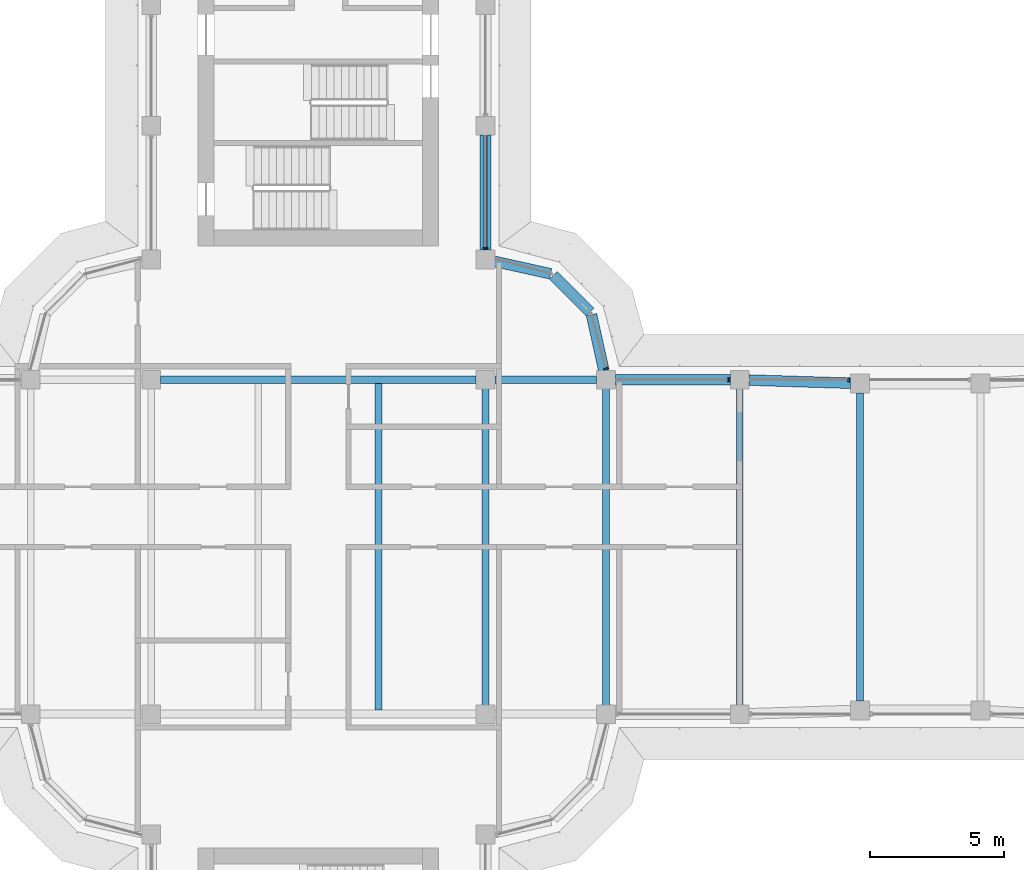
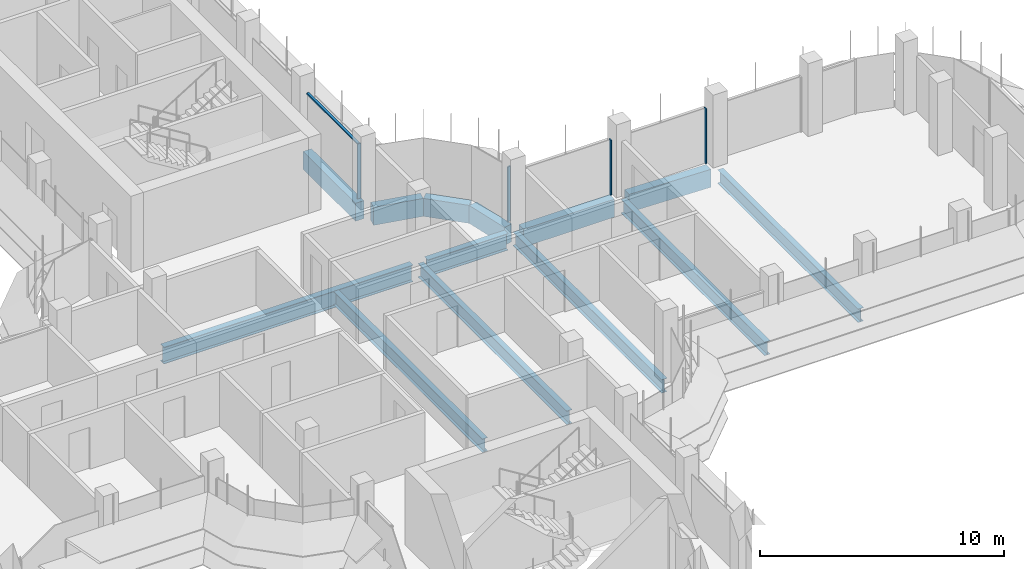
# One storey, part 8 of 18: 13 beams, 5 members, 3 elements without a shape of their own.
"""IFC4 building model written with IfcOpenShell, lengths in metres."""

from ifc_helpers import new_model, si_unit, direction, frame, origin, origin_2d, place, context, subcontext, project, spatial, polyline, rectangle, i_section, outline, extrude, source, transform, mapped, material, material_profile, profile_set, type_object, element, aggregate, save


model = new_model("IFC4")

# Units and contexts
model_context = context("Model", 3, precision=1e-05, world=origin(), true_north=direction((0.0, 1.0)))
body_context = subcontext(model_context, "Body", "Model", "MODEL_VIEW")
ifc_project = project(units=[si_unit("LENGTHUNIT", "METRE"), si_unit("AREAUNIT", "SQUARE_METRE"), si_unit("VOLUMEUNIT", "CUBIC_METRE"), si_unit("PLANEANGLEUNIT", "RADIAN"), si_unit("MASSUNIT", "GRAM", prefix="KILO")], contexts=[model_context])

# Site, building, storey
site_placement = place(None, origin())
site = spatial("IfcSite", under=ifc_project, at=site_placement, CompositionType="ELEMENT")
building_placement = place(site_placement, origin())
building = spatial("IfcBuilding", under=site, at=building_placement, Name="Zarbagh Exchange Tower", CompositionType="ELEMENT")
storey_placement = place(building_placement, frame((0.0, 0.0, 214.39990234375)))
storey = spatial("IfcBuildingStorey", under=building, at=storey_placement, Name="L52", CompositionType="ELEMENT", Elevation=214.39990234375)

# Beams
ifc_material_1 = material(Name="Steel ASTM A992 Gr 50", Category="steel")
ifc_material_profile_1 = material_profile(ifc_material_1, i_section(OverallWidth=0.25390625, OverallDepth=0.67822265625, WebThickness=0.01171875, FlangeThickness=0.016357421875, at=origin_2d()), Name="W27X84")
ifc_profile_set_1 = profile_set([ifc_material_profile_1], Name="Steel ASTM A992 Gr 50")
beam_type_1 = type_object("IfcBeamType", Name="Floor beam W27X84", PredefinedType="BEAM", material=ifc_profile_set_1)
for number, where, z_axis, x_axis, name in (
    (1, (2.25, -6.10400390625, -0.489013671875), (0.0, 1.0, 0.0), (-1.0, 0.0, 0.0), "Steel floor beam"),
    (2, (6.25, -6.10400390625, -0.489013671875), (0.0, 1.0, 0.0), (-1.0, 0.0, 0.0), "Steel floor beam"),
    (3, (10.75, -6.10400390625, -0.489013671875), (0.0, 1.0, 0.0), (-1.0, 0.0, 0.0), "Steel floor beam"),
):
    element("IfcBeam", number, at=place(storey_placement, frame(where, z_axis=z_axis, x_axis=x_axis)), inside=storey, type_object=beam_type_1, Name=name, PredefinedType="BEAM", context=body_context, shape_type="SweptSolid", body=[
        extrude(i_section(OverallWidth=0.25390625, OverallDepth=0.67822265625, WebThickness=0.01171875, FlangeThickness=0.016357421875, at=origin_2d()), origin(), (0.0, 0.0, 1.0), 12.2080078125),
    ])
beam_1_placement = place(storey_placement, frame((15.75, -5.89990234375, -0.489013671875), z_axis=(0.0, 1.0, 0.0), x_axis=(-1.0, 0.0, 0.0)))
element("IfcBeam", 4, at=beam_1_placement, inside=storey, type_object=beam_type_1, Name="Steel floor beam", PredefinedType="BEAM", context=body_context, shape_type="SweptSolid", body=[
    extrude(i_section(OverallWidth=0.25390625, OverallDepth=0.67822265625, WebThickness=0.01171875, FlangeThickness=0.016357421875, at=origin_2d()), origin(), (0.0, 0.0, 1.0), 11.7998046875),
])
beam_2_placement = place(storey_placement, frame((20.25, -5.760009765625, -0.489013671875), z_axis=(0.0, 1.0, 0.0), x_axis=(-1.0, 0.0, 0.0)))
element("IfcBeam", 5, at=beam_2_placement, inside=storey, type_object=beam_type_1, Name="Steel floor beam", PredefinedType="BEAM", context=body_context, shape_type="SweptSolid", body=[
    extrude(i_section(OverallWidth=0.25390625, OverallDepth=0.67822265625, WebThickness=0.01171875, FlangeThickness=0.016357421875, at=origin_2d()), origin(), (0.0, 0.0, 1.0), 11.52001953125),
])
ifc_material_profile_2 = material_profile(ifc_material_1, i_section(OverallWidth=0.2919921875, OverallDepth=0.835693359375, WebThickness=0.013916015625, FlangeThickness=0.018798828125, at=origin_2d()), Name="W33X118")
ifc_profile_set_2 = profile_set([ifc_material_profile_2], Name="Steel ASTM A992 Gr 50")
beam_type_2 = type_object("IfcBeamType", Name="Floor girder W33X118", PredefinedType="BEAM", material=ifc_profile_set_2)
beam_3_placement = place(storey_placement, frame((-5.89990234375, 6.25, -0.567626953125), z_axis=(1.0, 0.0, 0.0), x_axis=(0.0, 1.0, 0.0)))
element("IfcBeam", 6, at=beam_3_placement, inside=storey, type_object=beam_type_2, Name="Steel girder", PredefinedType="BEAM", context=body_context, shape_type="SweptSolid", body=[
    extrude(i_section(OverallWidth=0.2919921875, OverallDepth=0.835693359375, WebThickness=0.013916015625, FlangeThickness=0.018798828125, at=origin_2d()), origin(), (0.0, 0.0, 1.0), 11.7998046875),
])
beam_4_placement = place(storey_placement, frame((6.60009765625, 6.25, -0.567626953125), z_axis=(1.0, 0.0, 0.0), x_axis=(0.0, 1.0, 0.0)))
element("IfcBeam", 7, at=beam_4_placement, inside=storey, type_object=beam_type_2, Name="Steel girder", PredefinedType="BEAM", context=body_context, shape_type="SweptSolid", body=[
    extrude(i_section(OverallWidth=0.2919921875, OverallDepth=0.835693359375, WebThickness=0.013916015625, FlangeThickness=0.018798828125, at=origin_2d()), origin(), (0.0, 0.0, 1.0), 3.7998046875),
])
ifc_material_2 = material(Name="Concrete C50/60", Category="concrete")
ifc_material_profile_3 = material_profile(ifc_material_2, rectangle(XDim=0.39990234375, YDim=0.89990234375, at=origin_2d()), Name="RC spandrel beam 400 x 900 C50/60")
ifc_profile_set_3 = profile_set([ifc_material_profile_3], Name="Concrete C50/60")
beam_type_3 = type_object("IfcBeamType", Name="RC spandrel beam 400 x 900 C50/60", PredefinedType="SPANDREL", material=ifc_profile_set_3)
beam_5_placement = place(storey_placement, frame((6.25, 15.39990234375, -0.599853515625), z_axis=(0.0, -1.0, 0.0), x_axis=(1.0, 0.0, 0.0)))
element("IfcBeam", 8, at=beam_5_placement, inside=storey, type_object=beam_type_3, Name="RC spandrel beam", PredefinedType="SPANDREL", context=body_context, shape_type="SweptSolid", body=[
    extrude(rectangle(XDim=0.39990234375, YDim=0.89990234375, at=origin_2d()), origin(), (0.0, 0.0, 1.0), 4.2998046875),
])
beam_6_placement = place(storey_placement, frame((6.591796875, 10.67431640625, -0.599853515625), z_axis=(0.97639036545, -0.216013551096, 0.0), x_axis=(0.216013551096, 0.97639036545, 0.0)))
element("IfcBeam", 9, at=beam_6_placement, inside=storey, type_object=beam_type_3, Name="RC spandrel beam", PredefinedType="SPANDREL", context=body_context, shape_type="SweptSolid", body=[
    extrude(rectangle(XDim=0.39990234375, YDim=0.89990234375, at=origin_2d()), origin(), (0.0, 0.0, 1.0), 2.142822265625),
])
beam_7_placement = place(storey_placement, frame((8.782470703125, 10.15771484375, -0.599853515625), z_axis=(0.707106781187, -0.707106781187, 0.0), x_axis=(0.707106781187, 0.707106781187, 0.0)))
element("IfcBeam", 10, at=beam_7_placement, inside=storey, type_object=beam_type_3, Name="RC spandrel beam", PredefinedType="SPANDREL", context=body_context, shape_type="SweptSolid", body=[
    extrude(rectangle(XDim=0.39990234375, YDim=0.89990234375, at=origin_2d()), origin(), (0.0, 0.0, 1.0), 1.94482421875),
])
beam_8_placement = place(storey_placement, frame((10.21142578125, 8.68408203125, -0.599853515625), z_axis=(0.216013551096, -0.97639036545, 0.0), x_axis=(0.97639036545, 0.216013551096, 0.0)))
element("IfcBeam", 11, at=beam_8_placement, inside=storey, type_object=beam_type_3, Name="RC spandrel beam", PredefinedType="SPANDREL", context=body_context, shape_type="SweptSolid", body=[
    extrude(rectangle(XDim=0.39990234375, YDim=0.89990234375, at=origin_2d()), origin(), (0.0, 0.0, 1.0), 2.142822265625),
])
beam_9_placement = place(storey_placement, frame((11.10009765625, 6.25, -0.599853515625), z_axis=(1.0, 0.0, 0.0), x_axis=(0.0, 1.0, 0.0)))
element("IfcBeam", 12, at=beam_9_placement, inside=storey, type_object=beam_type_3, Name="RC spandrel beam", PredefinedType="SPANDREL", context=body_context, shape_type="SweptSolid", body=[
    extrude(rectangle(XDim=0.39990234375, YDim=0.89990234375, at=origin_2d()), origin(), (0.0, 0.0, 1.0), 4.2998046875),
])
beam_10_placement = place(storey_placement, frame((16.099853515625, 6.239013671875, -0.599853515625), z_axis=(0.999516950199, -0.031078389046, 0.0), x_axis=(0.031078389046, 0.999516950199, 0.0)))
element("IfcBeam", 13, at=beam_10_placement, inside=storey, type_object=beam_type_3, Name="RC spandrel beam", PredefinedType="SPANDREL", context=body_context, shape_type="SweptSolid", body=[
    extrude(rectangle(XDim=0.39990234375, YDim=0.89990234375, at=origin_2d()), origin(), (0.0, 0.0, 1.0), 3.80224609375),
])

# Curtain wall, members
ifc_material_3 = material(Name="Anodised aluminium frame and glazing", Category="aluminium")
curtain_wall_type = type_object("IfcCurtainWallType", Name="CWB Ribbon glazing, upper zones", PredefinedType="NOTDEFINED", material=ifc_material_3)
curtain_wall_1_placement = place(storey_placement, origin())
curtain_wall_1 = element("IfcCurtainWall", 14, at=curtain_wall_1_placement, inside=storey, type_object=curtain_wall_type, Name="CWB16 curtain wall", PredefinedType="NOTDEFINED")
ifc_material_4 = material(Name="Anodised aluminium frame", Category="aluminium")
member_type_1 = type_object("IfcMemberType", Name="MUB Mullion, anodised aluminium frame", PredefinedType="MULLION", material=ifc_material_4)
shared_shape_1 = source(origin(), body_context, "Body", "SweptSolid", [
    extrude(outline(polyline([(0.0, -0.080078125), (0.06005859375, -0.080078125), (0.06005859375, 0.080078125), (0.0, 0.080078125), (0.0, -0.080078125)])), origin(), (0.0, 0.0, 1.0), 2.75),
])
placement = place(storey_placement, origin())
member_1 = element("IfcMember", 15, at=placement, type_object=member_type_1, Name="CWB16 mullion 3.1", PredefinedType="MULLION", context=body_context, shape_type="MappedRepresentation", body=[
    mapped(shared_shape_1, transform((19.85986328125, 6.25, 0.0), x_axis=(-1.0, 0.0, 0.0), y_axis=(0.0, -1.0, 0.0), z_axis=(0.0, 0.0, 1.0))),
])
member_2 = element("IfcMember", 16, at=placement, type_object=member_type_1, Name="CWB16 mullion 4.1", PredefinedType="MULLION", context=body_context, shape_type="MappedRepresentation", body=[
    mapped(shared_shape_1, transform((15.35986328125, 6.25, 0.0), x_axis=(-1.0, 0.0, 0.0), y_axis=(0.0, -1.0, 0.0), z_axis=(0.0, 0.0, 1.0))),
])
aggregate(curtain_wall_1, [member_1, member_2])

# Curtain wall, member
curtain_wall_2_placement = place(storey_placement, origin())
curtain_wall_2 = element("IfcCurtainWall", 17, at=curtain_wall_2_placement, inside=storey, type_object=curtain_wall_type, Name="CWB17 curtain wall", PredefinedType="NOTDEFINED")
member_3 = element("IfcMember", 18, at=placement, type_object=member_type_1, Name="CWB17 mullion 1.1", PredefinedType="MULLION", context=body_context, shape_type="MappedRepresentation", body=[
    mapped(shared_shape_1, transform((10.76171875, 6.64013671875, 0.0), x_axis=(-0.258824779902, 0.965924289636, 0.0), y_axis=(-0.965924289636, -0.258824779902, 0.0), z_axis=(0.0, 0.0, 1.0))),
])
aggregate(curtain_wall_2, [member_3])

# Curtain wall, members
curtain_wall_3_placement = place(storey_placement, origin())
curtain_wall_3 = element("IfcCurtainWall", 19, at=curtain_wall_3_placement, inside=storey, type_object=curtain_wall_type, Name="CWB20 curtain wall", PredefinedType="NOTDEFINED")
member_4 = element("IfcMember", 20, at=placement, type_object=member_type_1, Name="CWB20 mullion 1.1", PredefinedType="MULLION", context=body_context, shape_type="MappedRepresentation", body=[
    mapped(shared_shape_1, transform((6.25, 11.14013671875, 0.0), x_axis=(0.0, 1.0, 0.0), y_axis=(-1.0, 0.0, 0.0), z_axis=(0.0, 0.0, 1.0))),
])
member_type_2 = type_object("IfcMemberType", Name="TRB Transom, anodised aluminium frame", PredefinedType="USERDEFINED", material=ifc_material_4)
shared_shape_2 = source(origin(), body_context, "Body", "SweptSolid", [
    extrude(outline(polyline([(-0.06005859375, -0.06005859375), (0.0, -0.06005859375), (0.0, 0.06005859375), (-0.06005859375, 0.06005859375), (-0.06005859375, -0.06005859375)])), origin(), (0.0, 0.0, 1.0), 4.159912109375),
])
member_5 = element("IfcMember", 21, at=placement, type_object=member_type_2, Name="CWB20 transom 1.1", ObjectType="TRANSOM", PredefinedType="USERDEFINED", context=body_context, shape_type="MappedRepresentation", body=[
    mapped(shared_shape_2, transform((6.25, 11.199951171875, 2.75), x_axis=(0.0, 0.0, 1.0), y_axis=(1.0, 0.0, 0.0), z_axis=(0.0, 1.0, 0.0))),
])
aggregate(curtain_wall_3, [member_4, member_5])

save(model, "model.ifc")
